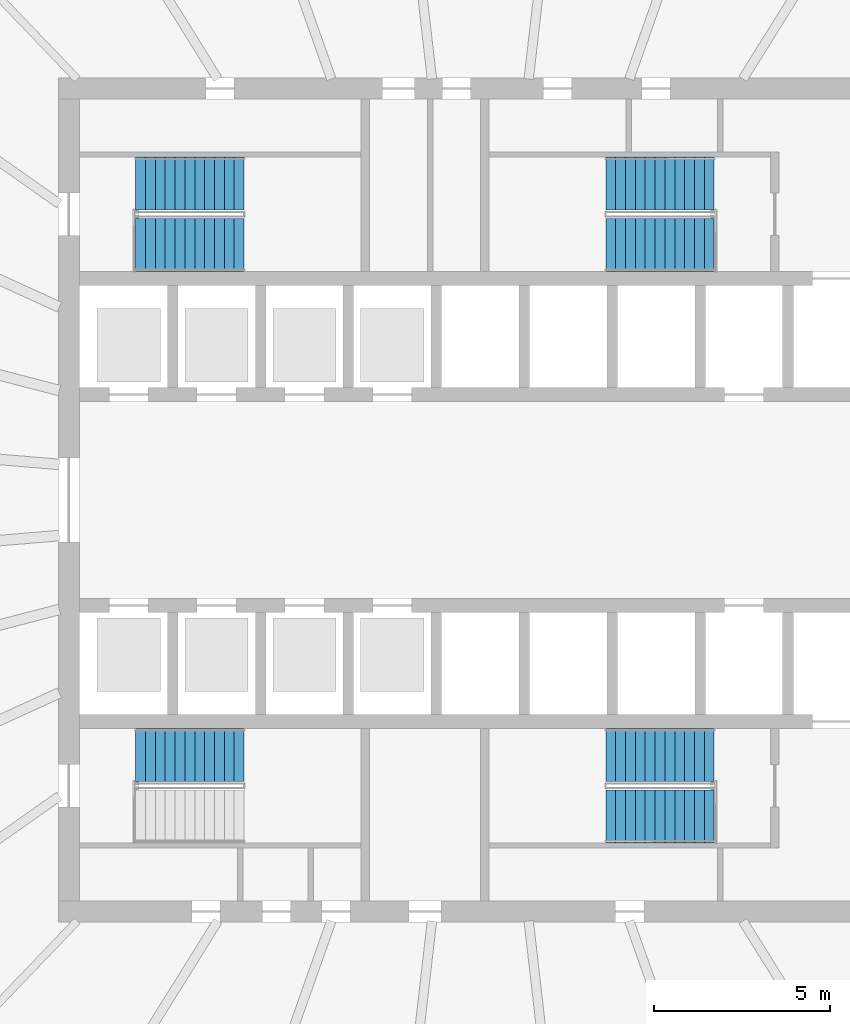
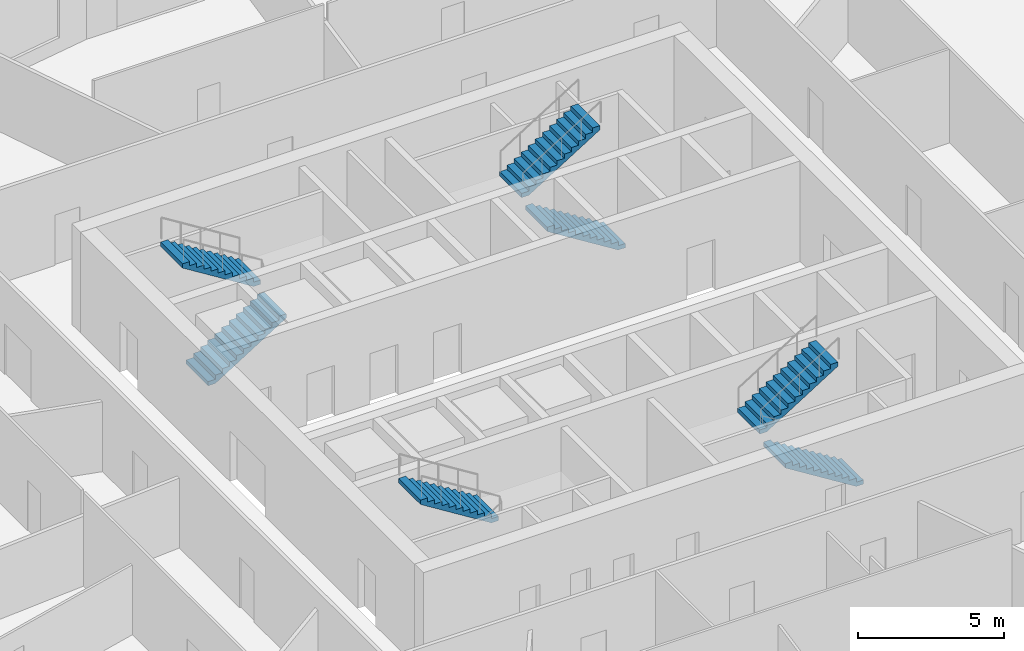
# One storey, part 8 of 11: 7 stair flights, 4 elements without a shape of their own.
"""IFC4 building model written with IfcOpenShell, lengths in metres."""

from ifc_helpers import new_model, si_unit, direction, frame, origin, place, context, subcontext, project, spatial, polyline, outline, extrude, material, type_object, element, aggregate, save


model = new_model("IFC4")

# Units and contexts
model_context = context("Model", 3, precision=1e-05, world=origin(), true_north=direction((0.0, 1.0)))
body_context = subcontext(model_context, "Body", "Model", "MODEL_VIEW")
ifc_project = project(units=[si_unit("LENGTHUNIT", "METRE"), si_unit("AREAUNIT", "SQUARE_METRE"), si_unit("VOLUMEUNIT", "CUBIC_METRE"), si_unit("PLANEANGLEUNIT", "RADIAN"), si_unit("MASSUNIT", "GRAM", prefix="KILO")], contexts=[model_context])

# Site, building, storey
site_placement = place(None, origin())
site = spatial("IfcSite", under=ifc_project, at=site_placement, CompositionType="ELEMENT")
building_placement = place(site_placement, origin())
building = spatial("IfcBuilding", under=site, at=building_placement, Name="Halqa Exchange Tower", CompositionType="ELEMENT")
storey_placement = place(building_placement, frame((0.0, 0.0, 146.5)))
storey = spatial("IfcBuildingStorey", under=building, at=storey_placement, Name="L33", CompositionType="ELEMENT", Elevation=146.5)

# Stair, stair flights
ifc_material = material(Name="Concrete C30/37", Category="concrete")
stair_type = type_object("IfcStairType", Name="Exit stair 1500 wide", PredefinedType="HALF_TURN_STAIR", material=ifc_material)
stair_1_placement = place(storey_placement, origin())
stair_1 = element("IfcStair", 1, at=stair_1_placement, inside=storey, type_object=stair_type, Name="Exit stair ST1", PredefinedType="HALF_TURN_STAIR")
stair_flight_type = type_object("IfcStairFlightType", Name="Stair flight 1500 wide", PredefinedType="STRAIGHT", material=ifc_material)
stair_flight_1_placement = place(storey_placement, frame((-9.800048828125, 7.25, 0.0), z_axis=(0.0, 0.0, 1.0), x_axis=(1.0, 0.0, 0.0)))
stair_flight_1 = element("IfcStairFlight", 2, at=stair_flight_1_placement, type_object=stair_flight_type, Name="ST1 flight 1", NumberOfRisers=12, NumberOfTreads=11, PredefinedType="STRAIGHT", RiserHeight=0.175, TreadLength=0.28, context=body_context, shape_type="SweptSolid", body=[
    extrude(outline(polyline([(0.0, 0.0), (0.0, 0.175048828125), (0.280029296875, 0.175048828125), (0.280029296875, 0.35009765625), (0.56005859375, 0.35009765625), (0.56005859375, 0.52490234375), (0.840087890625, 0.52490234375), (0.840087890625, 0.699951171875), (1.1201171875, 0.699951171875), (1.1201171875, 0.875), (1.39990234375, 0.875), (1.39990234375, 1.050048828125), (1.679931640625, 1.050048828125), (1.679931640625, 1.22509765625), (1.9599609375, 1.22509765625), (1.9599609375, 1.39990234375), (2.239990234375, 1.39990234375), (2.239990234375, 1.574951171875), (2.52001953125, 1.574951171875), (2.52001953125, 1.75), (2.800048828125, 1.75), (2.800048828125, 1.925048828125), (3.080078125, 1.925048828125), (3.080078125, 2.10009765625), (3.080078125, 1.748291015625), (0.28271484375, 0.0), (0.0, 0.0)])), frame((0.0, 0.75, 0.0), z_axis=(0.0, -1.0, 0.0), x_axis=(1.0, 0.0, 0.0)), (0.0, 0.0, 1.0), 1.5),
])
stair_flight_2_placement = place(storey_placement, frame((-6.719970703125, 9.0, 2.10009765625), z_axis=(0.0, 0.0, 1.0), x_axis=(-1.0, 0.0, 0.0)))
stair_flight_2 = element("IfcStairFlight", 3, at=stair_flight_2_placement, type_object=stair_flight_type, Name="ST1 flight 2", NumberOfRisers=12, NumberOfTreads=11, PredefinedType="STRAIGHT", RiserHeight=0.175, TreadLength=0.28, context=body_context, shape_type="SweptSolid", body=[
    extrude(outline(polyline([(0.0, 0.0), (0.0, 0.175048828125), (0.280029296875, 0.175048828125), (0.280029296875, 0.35009765625), (0.56005859375, 0.35009765625), (0.56005859375, 0.52490234375), (0.840087890625, 0.52490234375), (0.840087890625, 0.699951171875), (1.1201171875, 0.699951171875), (1.1201171875, 0.875), (1.39990234375, 0.875), (1.39990234375, 1.050048828125), (1.679931640625, 1.050048828125), (1.679931640625, 1.22509765625), (1.9599609375, 1.22509765625), (1.9599609375, 1.39990234375), (2.239990234375, 1.39990234375), (2.239990234375, 1.574951171875), (2.52001953125, 1.574951171875), (2.52001953125, 1.75), (2.800048828125, 1.75), (2.800048828125, 1.925048828125), (3.080078125, 1.925048828125), (3.080078125, 2.10009765625), (3.080078125, 1.748291015625), (0.28271484375, 0.0), (0.0, 0.0)])), frame((0.0, 0.75, 0.0), z_axis=(0.0, -1.0, 0.0), x_axis=(1.0, 0.0, 0.0)), (0.0, 0.0, 1.0), 1.5),
])
aggregate(stair_1, [stair_flight_1, stair_flight_2])

stair_2_placement = place(storey_placement, origin())
stair_2 = element("IfcStair", 4, at=stair_2_placement, inside=storey, type_object=stair_type, Name="Exit stair ST2", PredefinedType="HALF_TURN_STAIR")
stair_flight_3_placement = place(storey_placement, frame((6.64990234375, 7.25, 0.0), z_axis=(0.0, 0.0, 1.0), x_axis=(-1.0, 0.0, 0.0)))
stair_flight_3 = element("IfcStairFlight", 5, at=stair_flight_3_placement, type_object=stair_flight_type, Name="ST2 flight 1", NumberOfRisers=12, NumberOfTreads=11, PredefinedType="STRAIGHT", RiserHeight=0.175, TreadLength=0.28, context=body_context, shape_type="SweptSolid", body=[
    extrude(outline(polyline([(0.0, 0.0), (0.0, 0.175048828125), (0.280029296875, 0.175048828125), (0.280029296875, 0.35009765625), (0.56005859375, 0.35009765625), (0.56005859375, 0.52490234375), (0.840087890625, 0.52490234375), (0.840087890625, 0.699951171875), (1.1201171875, 0.699951171875), (1.1201171875, 0.875), (1.39990234375, 0.875), (1.39990234375, 1.050048828125), (1.679931640625, 1.050048828125), (1.679931640625, 1.22509765625), (1.9599609375, 1.22509765625), (1.9599609375, 1.39990234375), (2.239990234375, 1.39990234375), (2.239990234375, 1.574951171875), (2.52001953125, 1.574951171875), (2.52001953125, 1.75), (2.800048828125, 1.75), (2.800048828125, 1.925048828125), (3.080078125, 1.925048828125), (3.080078125, 2.10009765625), (3.080078125, 1.748291015625), (0.28271484375, 0.0), (0.0, 0.0)])), frame((0.0, 0.75, 0.0), z_axis=(0.0, -1.0, 0.0), x_axis=(1.0, 0.0, 0.0)), (0.0, 0.0, 1.0), 1.5),
])
stair_flight_4_placement = place(storey_placement, frame((3.570068359375, 9.0, 2.10009765625), z_axis=(0.0, 0.0, 1.0), x_axis=(1.0, 0.0, 0.0)))
stair_flight_4 = element("IfcStairFlight", 6, at=stair_flight_4_placement, type_object=stair_flight_type, Name="ST2 flight 2", NumberOfRisers=12, NumberOfTreads=11, PredefinedType="STRAIGHT", RiserHeight=0.175, TreadLength=0.28, context=body_context, shape_type="SweptSolid", body=[
    extrude(outline(polyline([(0.0, 0.0), (0.0, 0.175048828125), (0.280029296875, 0.175048828125), (0.280029296875, 0.35009765625), (0.56005859375, 0.35009765625), (0.56005859375, 0.52490234375), (0.840087890625, 0.52490234375), (0.840087890625, 0.699951171875), (1.1201171875, 0.699951171875), (1.1201171875, 0.875), (1.39990234375, 0.875), (1.39990234375, 1.050048828125), (1.679931640625, 1.050048828125), (1.679931640625, 1.22509765625), (1.9599609375, 1.22509765625), (1.9599609375, 1.39990234375), (2.239990234375, 1.39990234375), (2.239990234375, 1.574951171875), (2.52001953125, 1.574951171875), (2.52001953125, 1.75), (2.800048828125, 1.75), (2.800048828125, 1.925048828125), (3.080078125, 1.925048828125), (3.080078125, 2.10009765625), (3.080078125, 1.748291015625), (0.28271484375, 0.0), (0.0, 0.0)])), frame((0.0, 0.75, 0.0), z_axis=(0.0, -1.0, 0.0), x_axis=(1.0, 0.0, 0.0)), (0.0, 0.0, 1.0), 1.5),
])
aggregate(stair_2, [stair_flight_3, stair_flight_4])

# Stair, stair flight
stair_3_placement = place(storey_placement, origin())
stair_3 = element("IfcStair", 7, at=stair_3_placement, inside=storey, type_object=stair_type, Name="Exit stair ST3", PredefinedType="HALF_TURN_STAIR")
stair_flight_5_placement = place(storey_placement, frame((-6.719970703125, -7.25, 2.10009765625), z_axis=(0.0, 0.0, 1.0), x_axis=(-1.0, 0.0, 0.0)))
stair_flight_5 = element("IfcStairFlight", 8, at=stair_flight_5_placement, type_object=stair_flight_type, Name="ST3 flight 2", NumberOfRisers=12, NumberOfTreads=11, PredefinedType="STRAIGHT", RiserHeight=0.175, TreadLength=0.28, context=body_context, shape_type="SweptSolid", body=[
    extrude(outline(polyline([(0.0, 0.0), (0.0, 0.175048828125), (0.280029296875, 0.175048828125), (0.280029296875, 0.35009765625), (0.56005859375, 0.35009765625), (0.56005859375, 0.52490234375), (0.840087890625, 0.52490234375), (0.840087890625, 0.699951171875), (1.1201171875, 0.699951171875), (1.1201171875, 0.875), (1.39990234375, 0.875), (1.39990234375, 1.050048828125), (1.679931640625, 1.050048828125), (1.679931640625, 1.22509765625), (1.9599609375, 1.22509765625), (1.9599609375, 1.39990234375), (2.239990234375, 1.39990234375), (2.239990234375, 1.574951171875), (2.52001953125, 1.574951171875), (2.52001953125, 1.75), (2.800048828125, 1.75), (2.800048828125, 1.925048828125), (3.080078125, 1.925048828125), (3.080078125, 2.10009765625), (3.080078125, 1.748291015625), (0.28271484375, 0.0), (0.0, 0.0)])), frame((0.0, 0.75, 0.0), z_axis=(0.0, -1.0, 0.0), x_axis=(1.0, 0.0, 0.0)), (0.0, 0.0, 1.0), 1.5),
])
aggregate(stair_3, [stair_flight_5])

# Stair, stair flights
stair_4_placement = place(storey_placement, origin())
stair_4 = element("IfcStair", 9, at=stair_4_placement, inside=storey, type_object=stair_type, Name="Exit stair ST4", PredefinedType="HALF_TURN_STAIR")
stair_flight_6_placement = place(storey_placement, frame((6.64990234375, -9.0, 0.0), z_axis=(0.0, 0.0, 1.0), x_axis=(-1.0, 0.0, 0.0)))
stair_flight_6 = element("IfcStairFlight", 10, at=stair_flight_6_placement, type_object=stair_flight_type, Name="ST4 flight 1", NumberOfRisers=12, NumberOfTreads=11, PredefinedType="STRAIGHT", RiserHeight=0.175, TreadLength=0.28, context=body_context, shape_type="SweptSolid", body=[
    extrude(outline(polyline([(0.0, 0.0), (0.0, 0.175048828125), (0.280029296875, 0.175048828125), (0.280029296875, 0.35009765625), (0.56005859375, 0.35009765625), (0.56005859375, 0.52490234375), (0.840087890625, 0.52490234375), (0.840087890625, 0.699951171875), (1.1201171875, 0.699951171875), (1.1201171875, 0.875), (1.39990234375, 0.875), (1.39990234375, 1.050048828125), (1.679931640625, 1.050048828125), (1.679931640625, 1.22509765625), (1.9599609375, 1.22509765625), (1.9599609375, 1.39990234375), (2.239990234375, 1.39990234375), (2.239990234375, 1.574951171875), (2.52001953125, 1.574951171875), (2.52001953125, 1.75), (2.800048828125, 1.75), (2.800048828125, 1.925048828125), (3.080078125, 1.925048828125), (3.080078125, 2.10009765625), (3.080078125, 1.748291015625), (0.28271484375, 0.0), (0.0, 0.0)])), frame((0.0, 0.75, 0.0), z_axis=(0.0, -1.0, 0.0), x_axis=(1.0, 0.0, 0.0)), (0.0, 0.0, 1.0), 1.5),
])
stair_flight_7_placement = place(storey_placement, frame((3.570068359375, -7.25, 2.10009765625), z_axis=(0.0, 0.0, 1.0), x_axis=(1.0, 0.0, 0.0)))
stair_flight_7 = element("IfcStairFlight", 11, at=stair_flight_7_placement, type_object=stair_flight_type, Name="ST4 flight 2", NumberOfRisers=12, NumberOfTreads=11, PredefinedType="STRAIGHT", RiserHeight=0.175, TreadLength=0.28, context=body_context, shape_type="SweptSolid", body=[
    extrude(outline(polyline([(0.0, 0.0), (0.0, 0.175048828125), (0.280029296875, 0.175048828125), (0.280029296875, 0.35009765625), (0.56005859375, 0.35009765625), (0.56005859375, 0.52490234375), (0.840087890625, 0.52490234375), (0.840087890625, 0.699951171875), (1.1201171875, 0.699951171875), (1.1201171875, 0.875), (1.39990234375, 0.875), (1.39990234375, 1.050048828125), (1.679931640625, 1.050048828125), (1.679931640625, 1.22509765625), (1.9599609375, 1.22509765625), (1.9599609375, 1.39990234375), (2.239990234375, 1.39990234375), (2.239990234375, 1.574951171875), (2.52001953125, 1.574951171875), (2.52001953125, 1.75), (2.800048828125, 1.75), (2.800048828125, 1.925048828125), (3.080078125, 1.925048828125), (3.080078125, 2.10009765625), (3.080078125, 1.748291015625), (0.28271484375, 0.0), (0.0, 0.0)])), frame((0.0, 0.75, 0.0), z_axis=(0.0, -1.0, 0.0), x_axis=(1.0, 0.0, 0.0)), (0.0, 0.0, 1.0), 1.5),
])
aggregate(stair_4, [stair_flight_6, stair_flight_7])

save(model, "model.ifc")
